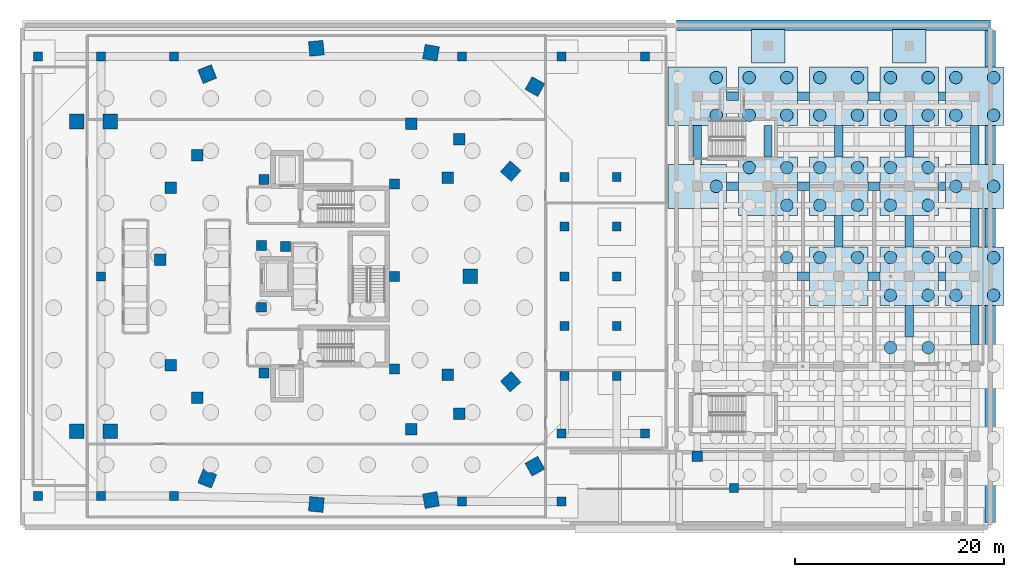
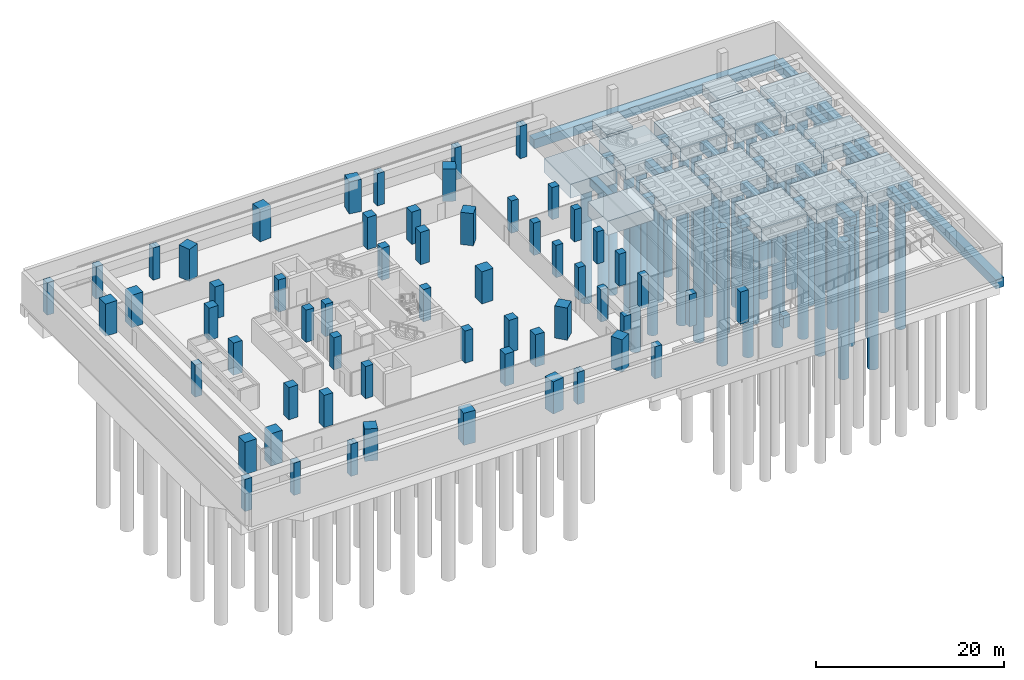
# One storey, part 2 of 15: 60 columns, 45 piles, 38 footings.
"""IFC4 building model written with IfcOpenShell, lengths in metres."""

from ifc_helpers import new_model, si_unit, direction, frame, origin, origin_2d, place, context, subcontext, project, spatial, polyline, rectangle, circle, outline, extrude, material, material_profile, profile_set, type_object, element, save


model = new_model("IFC4")

# Units and contexts
model_context = context("Model", 3, precision=1e-05, world=origin(), true_north=direction((0.0, 1.0)))
body_context = subcontext(model_context, "Body", "Model", "MODEL_VIEW")
ifc_project = project(units=[si_unit("LENGTHUNIT", "METRE"), si_unit("AREAUNIT", "SQUARE_METRE"), si_unit("VOLUMEUNIT", "CUBIC_METRE"), si_unit("PLANEANGLEUNIT", "RADIAN"), si_unit("MASSUNIT", "GRAM", prefix="KILO")], contexts=[model_context])

# Site, building, storey
site_placement = place(None, origin())
site = spatial("IfcSite", under=ifc_project, at=site_placement, CompositionType="ELEMENT")
building_placement = place(site_placement, origin())
building = spatial("IfcBuilding", under=site, at=building_placement, Name="Korentha Bioscience Tower", CompositionType="ELEMENT")
storey_placement = place(building_placement, frame((0.0, 0.0, -9.0)))
storey = spatial("IfcBuildingStorey", under=building, at=storey_placement, Name="B2", CompositionType="ELEMENT", Elevation=-9.0)

# Footings
ifc_material_1 = material(Name="Concrete C50", Category="concrete")
footing_type_1 = type_object("IfcFootingType", Name="Basement Column Pad Footing 3200x3200x1400", PredefinedType="PAD_FOOTING", material=ifc_material_1)
for number, where, z_axis, x_axis, name in (
    (1, (73.25, 49.0, -1.89990234375), (0.0, 0.0, 1.0), (1.0, 0.0, 0.0), "Basement Column Pad Footing 07"),
    (2, (86.75, 49.0, -1.89990234375), (0.0, 0.0, 1.0), (1.0, 0.0, 0.0), "Basement Column Pad Footing 08"),
):
    element("IfcFooting", number, at=place(storey_placement, frame(where, z_axis=z_axis, x_axis=x_axis)), inside=storey, type_object=footing_type_1, Name=name, PredefinedType="PAD_FOOTING", context=body_context, shape_type="SweptSolid", body=[
        extrude(rectangle(XDim=3.199951171875, YDim=3.199951171875, at=origin_2d()), origin(), (0.0, 0.0, 1.0), 1.39990234375),
    ])

# Piles
ifc_material_profile_1 = material_profile(ifc_material_1, circle(Radius=0.60009765625, at=origin_2d()), Name="Concrete C50")
ifc_profile_set_1 = profile_set([ifc_material_profile_1], Name="Concrete C50 (PL-120)")
pile_type = type_object("IfcPileType", Name="Bored Rock-Socketed Pile D1200", PredefinedType="BORED", material=ifc_profile_set_1)
for number, where, z_axis, x_axis, name in (
    (3, (68.300048828125, 35.60009765625, -2.14990234375), (0.0, 0.0, -1.0), (1.0, 0.0, 0.0), "Theatre Bored Pile PL-120-012"),
    (4, (68.300048828125, 42.39990234375, -2.14990234375), (0.0, 0.0, -1.0), (1.0, 0.0, 0.0), "Theatre Bored Pile PL-120-014"),
    (5, (68.300048828125, 46.0, -2.14990234375), (0.0, 0.0, -1.0), (1.0, 0.0, 0.0), "Theatre Bored Pile PL-120-016"),
    (6, (75.050048828125, 28.800048828125, -2.14990234375), (0.0, 0.0, -1.0), (1.0, 0.0, 0.0), "Theatre Bored Pile PL-120-028"),
    (7, (75.050048828125, 33.800048828125, -2.14990234375), (0.0, 0.0, -1.0), (1.0, 0.0, 0.0), "Theatre Bored Pile PL-120-030"),
    (8, (71.449951171875, 37.39990234375, -2.14990234375), (0.0, 0.0, -1.0), (1.0, 0.0, 0.0), "Theatre Bored Pile PL-120-031"),
    (9, (75.050048828125, 37.39990234375, -2.14990234375), (0.0, 0.0, -1.0), (1.0, 0.0, 0.0), "Theatre Bored Pile PL-120-032"),
    (10, (71.449951171875, 42.39990234375, -2.14990234375), (0.0, 0.0, -1.0), (1.0, 0.0, 0.0), "Theatre Bored Pile PL-120-033"),
    (11, (75.050048828125, 42.39990234375, -2.14990234375), (0.0, 0.0, -1.0), (1.0, 0.0, 0.0), "Theatre Bored Pile PL-120-034"),
    (12, (71.449951171875, 46.0, -2.14990234375), (0.0, 0.0, -1.0), (1.0, 0.0, 0.0), "Theatre Bored Pile PL-120-035"),
    (13, (75.050048828125, 46.0, -2.14990234375), (0.0, 0.0, -1.0), (1.0, 0.0, 0.0), "Theatre Bored Pile PL-120-036"),
    (14, (78.199951171875, 28.800048828125, -2.14990234375), (0.0, 0.0, -1.0), (1.0, 0.0, 0.0), "Theatre Bored Pile PL-120-047"),
    (15, (81.800048828125, 28.800048828125, -2.14990234375), (0.0, 0.0, -1.0), (1.0, 0.0, 0.0), "Theatre Bored Pile PL-120-048"),
    (16, (78.199951171875, 33.800048828125, -2.14990234375), (0.0, 0.0, -1.0), (1.0, 0.0, 0.0), "Theatre Bored Pile PL-120-049"),
    (17, (81.800048828125, 33.800048828125, -2.14990234375), (0.0, 0.0, -1.0), (1.0, 0.0, 0.0), "Theatre Bored Pile PL-120-050"),
    (18, (78.199951171875, 37.39990234375, -2.14990234375), (0.0, 0.0, -1.0), (1.0, 0.0, 0.0), "Theatre Bored Pile PL-120-051"),
    (19, (81.800048828125, 37.39990234375, -2.14990234375), (0.0, 0.0, -1.0), (1.0, 0.0, 0.0), "Theatre Bored Pile PL-120-052"),
    (20, (78.199951171875, 42.39990234375, -2.14990234375), (0.0, 0.0, -1.0), (1.0, 0.0, 0.0), "Theatre Bored Pile PL-120-053"),
    (21, (81.800048828125, 42.39990234375, -2.14990234375), (0.0, 0.0, -1.0), (1.0, 0.0, 0.0), "Theatre Bored Pile PL-120-054"),
    (22, (78.199951171875, 46.0, -2.14990234375), (0.0, 0.0, -1.0), (1.0, 0.0, 0.0), "Theatre Bored Pile PL-120-055"),
    (23, (81.800048828125, 46.0, -2.14990234375), (0.0, 0.0, -1.0), (1.0, 0.0, 0.0), "Theatre Bored Pile PL-120-056"),
    (24, (84.949951171875, 20.199951171875, -2.14990234375), (0.0, 0.0, -1.0), (1.0, 0.0, 0.0), "Theatre Bored Pile PL-120-063"),
    (25, (88.550048828125, 20.199951171875, -2.14990234375), (0.0, 0.0, -1.0), (1.0, 0.0, 0.0), "Theatre Bored Pile PL-120-064"),
    (26, (84.949951171875, 25.199951171875, -2.14990234375), (0.0, 0.0, -1.0), (1.0, 0.0, 0.0), "Theatre Bored Pile PL-120-065"),
    (27, (88.550048828125, 25.199951171875, -2.14990234375), (0.0, 0.0, -1.0), (1.0, 0.0, 0.0), "Theatre Bored Pile PL-120-066"),
    (28, (84.949951171875, 28.800048828125, -2.14990234375), (0.0, 0.0, -1.0), (1.0, 0.0, 0.0), "Theatre Bored Pile PL-120-067"),
    (29, (88.550048828125, 28.800048828125, -2.14990234375), (0.0, 0.0, -1.0), (1.0, 0.0, 0.0), "Theatre Bored Pile PL-120-068"),
    (30, (84.949951171875, 33.800048828125, -2.14990234375), (0.0, 0.0, -1.0), (1.0, 0.0, 0.0), "Theatre Bored Pile PL-120-069"),
    (31, (88.550048828125, 33.800048828125, -2.14990234375), (0.0, 0.0, -1.0), (1.0, 0.0, 0.0), "Theatre Bored Pile PL-120-070"),
    (32, (84.949951171875, 37.39990234375, -2.14990234375), (0.0, 0.0, -1.0), (1.0, 0.0, 0.0), "Theatre Bored Pile PL-120-071"),
    (33, (88.550048828125, 37.39990234375, -2.14990234375), (0.0, 0.0, -1.0), (1.0, 0.0, 0.0), "Theatre Bored Pile PL-120-072"),
    (34, (84.949951171875, 42.39990234375, -2.14990234375), (0.0, 0.0, -1.0), (1.0, 0.0, 0.0), "Theatre Bored Pile PL-120-073"),
    (35, (88.550048828125, 42.39990234375, -2.14990234375), (0.0, 0.0, -1.0), (1.0, 0.0, 0.0), "Theatre Bored Pile PL-120-074"),
    (36, (84.949951171875, 46.0, -2.14990234375), (0.0, 0.0, -1.0), (1.0, 0.0, 0.0), "Theatre Bored Pile PL-120-075"),
    (37, (88.550048828125, 46.0, -2.14990234375), (0.0, 0.0, -1.0), (1.0, 0.0, 0.0), "Theatre Bored Pile PL-120-076"),
    (38, (91.199951171875, 25.199951171875, -2.14990234375), (0.0, 0.0, -1.0), (1.0, 0.0, 0.0), "Theatre Bored Pile PL-120-083"),
    (39, (94.800048828125, 25.199951171875, -2.14990234375), (0.0, 0.0, -1.0), (1.0, 0.0, 0.0), "Theatre Bored Pile PL-120-084"),
    (40, (91.199951171875, 28.800048828125, -2.14990234375), (0.0, 0.0, -1.0), (1.0, 0.0, 0.0), "Theatre Bored Pile PL-120-085"),
    (41, (94.800048828125, 28.800048828125, -2.14990234375), (0.0, 0.0, -1.0), (1.0, 0.0, 0.0), "Theatre Bored Pile PL-120-086"),
    (42, (91.199951171875, 35.60009765625, -2.14990234375), (0.0, 0.0, -1.0), (1.0, 0.0, 0.0), "Theatre Bored Pile PL-120-087"),
    (43, (94.800048828125, 35.60009765625, -2.14990234375), (0.0, 0.0, -1.0), (1.0, 0.0, 0.0), "Theatre Bored Pile PL-120-088"),
    (44, (91.199951171875, 42.39990234375, -2.14990234375), (0.0, 0.0, -1.0), (1.0, 0.0, 0.0), "Theatre Bored Pile PL-120-089"),
    (45, (94.800048828125, 42.39990234375, -2.14990234375), (0.0, 0.0, -1.0), (1.0, 0.0, 0.0), "Theatre Bored Pile PL-120-090"),
    (46, (91.199951171875, 46.0, -2.14990234375), (0.0, 0.0, -1.0), (1.0, 0.0, 0.0), "Theatre Bored Pile PL-120-091"),
    (47, (94.800048828125, 46.0, -2.14990234375), (0.0, 0.0, -1.0), (1.0, 0.0, 0.0), "Theatre Bored Pile PL-120-092"),
):
    element("IfcPile", number, at=place(storey_placement, frame(where, z_axis=z_axis, x_axis=x_axis)), inside=storey, type_object=pile_type, Name=name, PredefinedType="BORED", context=body_context, shape_type="SweptSolid", body=[
        extrude(circle(Radius=0.60009765625, at=origin_2d()), origin(), (0.0, 0.0, 1.0), 17.85009765625),
    ])

# Footings
footing_type_2 = type_object("IfcFootingType", Name="Foundation Tie Beam 800x1100", PredefinedType="FOOTING_BEAM", material=ifc_material_1)
footing_1_placement = place(storey_placement, frame((0.0, 0.0, -1.60009765625)))
element("IfcFooting", 48, at=footing_1_placement, inside=storey, type_object=footing_type_2, Name="Theatre Tie Beam X-1-4", PredefinedType="FOOTING_BEAM", context=body_context, shape_type="SweptSolid", body=[
    extrude(outline(polyline([(69.300048828125, 35.199951171875), (70.449951171875, 35.199951171875), (70.449951171875, 36.0), (69.300048828125, 36.0), (69.300048828125, 35.199951171875)])), origin(), (0.0, 0.0, 1.0), 1.10009765625),
])
footing_2_placement = place(storey_placement, frame((0.0, 0.0, -1.60009765625)))
element("IfcFooting", 49, at=footing_2_placement, inside=storey, type_object=footing_type_2, Name="Theatre Tie Beam Y-1-4", PredefinedType="FOOTING_BEAM", context=body_context, shape_type="SweptSolid", body=[
    extrude(outline(polyline([(66.10009765625, 37.699951171875), (66.89990234375, 37.699951171875), (66.89990234375, 41.39990234375), (66.10009765625, 41.39990234375), (66.10009765625, 37.699951171875)])), origin(), (0.0, 0.0, 1.0), 1.10009765625),
])
footing_3_placement = place(storey_placement, frame((0.0, 0.0, -1.60009765625)))
element("IfcFooting", 50, at=footing_3_placement, inside=storey, type_object=footing_type_2, Name="Theatre Tie Beam X-1-5", PredefinedType="FOOTING_BEAM", context=body_context, shape_type="SweptSolid", body=[
    extrude(outline(polyline([(69.300048828125, 43.800048828125), (70.449951171875, 43.800048828125), (70.449951171875, 44.60009765625), (69.300048828125, 44.60009765625), (69.300048828125, 43.800048828125)])), origin(), (0.0, 0.0, 1.0), 1.10009765625),
])
footing_4_placement = place(storey_placement, frame((0.0, 0.0, -1.60009765625)))
element("IfcFooting", 51, at=footing_4_placement, inside=storey, type_object=footing_type_2, Name="Theatre Tie Beam X-2-3", PredefinedType="FOOTING_BEAM", context=body_context, shape_type="SweptSolid", body=[
    extrude(outline(polyline([(76.050048828125, 26.60009765625), (77.199951171875, 26.60009765625), (77.199951171875, 27.39990234375), (76.050048828125, 27.39990234375), (76.050048828125, 26.60009765625)])), origin(), (0.0, 0.0, 1.0), 1.10009765625),
])
footing_5_placement = place(storey_placement, frame((0.0, 0.0, -1.60009765625)))
element("IfcFooting", 52, at=footing_5_placement, inside=storey, type_object=footing_type_2, Name="Theatre Tie Beam X-2-4", PredefinedType="FOOTING_BEAM", context=body_context, shape_type="SweptSolid", body=[
    extrude(outline(polyline([(76.050048828125, 35.199951171875), (77.199951171875, 35.199951171875), (77.199951171875, 36.0), (76.050048828125, 36.0), (76.050048828125, 35.199951171875)])), origin(), (0.0, 0.0, 1.0), 1.10009765625),
])
footing_6_placement = place(storey_placement, frame((0.0, 0.0, -1.60009765625)))
element("IfcFooting", 53, at=footing_6_placement, inside=storey, type_object=footing_type_2, Name="Theatre Tie Beam Y-2-4", PredefinedType="FOOTING_BEAM", context=body_context, shape_type="SweptSolid", body=[
    extrude(outline(polyline([(72.85009765625, 38.39990234375), (73.64990234375, 38.39990234375), (73.64990234375, 41.39990234375), (72.85009765625, 41.39990234375), (72.85009765625, 38.39990234375)])), origin(), (0.0, 0.0, 1.0), 1.10009765625),
])
footing_7_placement = place(storey_placement, frame((0.0, 0.0, -1.60009765625)))
element("IfcFooting", 54, at=footing_7_placement, inside=storey, type_object=footing_type_2, Name="Theatre Tie Beam X-2-5", PredefinedType="FOOTING_BEAM", context=body_context, shape_type="SweptSolid", body=[
    extrude(outline(polyline([(76.050048828125, 43.800048828125), (77.199951171875, 43.800048828125), (77.199951171875, 44.60009765625), (76.050048828125, 44.60009765625), (76.050048828125, 43.800048828125)])), origin(), (0.0, 0.0, 1.0), 1.10009765625),
])
footing_8_placement = place(storey_placement, frame((0.0, 0.0, -1.60009765625)))
element("IfcFooting", 55, at=footing_8_placement, inside=storey, type_object=footing_type_2, Name="Theatre Tie Beam X-3-3", PredefinedType="FOOTING_BEAM", context=body_context, shape_type="SweptSolid", body=[
    extrude(outline(polyline([(82.800048828125, 26.60009765625), (83.949951171875, 26.60009765625), (83.949951171875, 27.39990234375), (82.800048828125, 27.39990234375), (82.800048828125, 26.60009765625)])), origin(), (0.0, 0.0, 1.0), 1.10009765625),
])
footing_9_placement = place(storey_placement, frame((0.0, 0.0, -1.60009765625)))
element("IfcFooting", 56, at=footing_9_placement, inside=storey, type_object=footing_type_2, Name="Theatre Tie Beam Y-3-3", PredefinedType="FOOTING_BEAM", context=body_context, shape_type="SweptSolid", body=[
    extrude(outline(polyline([(79.60009765625, 29.800048828125), (80.39990234375, 29.800048828125), (80.39990234375, 32.800048828125), (79.60009765625, 32.800048828125), (79.60009765625, 29.800048828125)])), origin(), (0.0, 0.0, 1.0), 1.10009765625),
])
footing_10_placement = place(storey_placement, frame((0.0, 0.0, -1.60009765625)))
element("IfcFooting", 57, at=footing_10_placement, inside=storey, type_object=footing_type_2, Name="Theatre Tie Beam X-3-4", PredefinedType="FOOTING_BEAM", context=body_context, shape_type="SweptSolid", body=[
    extrude(outline(polyline([(82.800048828125, 35.199951171875), (83.949951171875, 35.199951171875), (83.949951171875, 36.0), (82.800048828125, 36.0), (82.800048828125, 35.199951171875)])), origin(), (0.0, 0.0, 1.0), 1.10009765625),
])
footing_11_placement = place(storey_placement, frame((0.0, 0.0, -1.60009765625)))
element("IfcFooting", 58, at=footing_11_placement, inside=storey, type_object=footing_type_2, Name="Theatre Tie Beam Y-3-4", PredefinedType="FOOTING_BEAM", context=body_context, shape_type="SweptSolid", body=[
    extrude(outline(polyline([(79.60009765625, 38.39990234375), (80.39990234375, 38.39990234375), (80.39990234375, 41.39990234375), (79.60009765625, 41.39990234375), (79.60009765625, 38.39990234375)])), origin(), (0.0, 0.0, 1.0), 1.10009765625),
])
footing_12_placement = place(storey_placement, frame((0.0, 0.0, -1.60009765625)))
element("IfcFooting", 59, at=footing_12_placement, inside=storey, type_object=footing_type_2, Name="Theatre Tie Beam X-3-5", PredefinedType="FOOTING_BEAM", context=body_context, shape_type="SweptSolid", body=[
    extrude(outline(polyline([(82.800048828125, 43.800048828125), (83.949951171875, 43.800048828125), (83.949951171875, 44.60009765625), (82.800048828125, 44.60009765625), (82.800048828125, 43.800048828125)])), origin(), (0.0, 0.0, 1.0), 1.10009765625),
])
footing_13_placement = place(storey_placement, frame((0.0, 0.0, -1.60009765625)))
element("IfcFooting", 60, at=footing_13_placement, inside=storey, type_object=footing_type_2, Name="Theatre Tie Beam Y-4-2", PredefinedType="FOOTING_BEAM", context=body_context, shape_type="SweptSolid", body=[
    extrude(outline(polyline([(86.35009765625, 21.199951171875), (87.14990234375, 21.199951171875), (87.14990234375, 24.199951171875), (86.35009765625, 24.199951171875), (86.35009765625, 21.199951171875)])), origin(), (0.0, 0.0, 1.0), 1.10009765625),
])
footing_14_placement = place(storey_placement, frame((0.0, 0.0, -1.60009765625)))
element("IfcFooting", 61, at=footing_14_placement, inside=storey, type_object=footing_type_2, Name="Theatre Tie Beam X-4-3", PredefinedType="FOOTING_BEAM", context=body_context, shape_type="SweptSolid", body=[
    extrude(outline(polyline([(89.550048828125, 26.60009765625), (90.199951171875, 26.60009765625), (90.199951171875, 27.39990234375), (89.550048828125, 27.39990234375), (89.550048828125, 26.60009765625)])), origin(), (0.0, 0.0, 1.0), 1.10009765625),
])
footing_15_placement = place(storey_placement, frame((0.0, 0.0, -1.60009765625)))
element("IfcFooting", 62, at=footing_15_placement, inside=storey, type_object=footing_type_2, Name="Theatre Tie Beam Y-4-3", PredefinedType="FOOTING_BEAM", context=body_context, shape_type="SweptSolid", body=[
    extrude(outline(polyline([(86.35009765625, 29.800048828125), (87.14990234375, 29.800048828125), (87.14990234375, 32.800048828125), (86.35009765625, 32.800048828125), (86.35009765625, 29.800048828125)])), origin(), (0.0, 0.0, 1.0), 1.10009765625),
])
footing_16_placement = place(storey_placement, frame((0.0, 0.0, -1.60009765625)))
element("IfcFooting", 63, at=footing_16_placement, inside=storey, type_object=footing_type_2, Name="Theatre Tie Beam X-4-4", PredefinedType="FOOTING_BEAM", context=body_context, shape_type="SweptSolid", body=[
    extrude(outline(polyline([(89.550048828125, 35.199951171875), (90.199951171875, 35.199951171875), (90.199951171875, 36.0), (89.550048828125, 36.0), (89.550048828125, 35.199951171875)])), origin(), (0.0, 0.0, 1.0), 1.10009765625),
])
footing_17_placement = place(storey_placement, frame((0.0, 0.0, -1.60009765625)))
element("IfcFooting", 64, at=footing_17_placement, inside=storey, type_object=footing_type_2, Name="Theatre Tie Beam Y-4-4", PredefinedType="FOOTING_BEAM", context=body_context, shape_type="SweptSolid", body=[
    extrude(outline(polyline([(86.35009765625, 38.39990234375), (87.14990234375, 38.39990234375), (87.14990234375, 41.39990234375), (86.35009765625, 41.39990234375), (86.35009765625, 38.39990234375)])), origin(), (0.0, 0.0, 1.0), 1.10009765625),
])
footing_18_placement = place(storey_placement, frame((0.0, 0.0, -1.60009765625)))
element("IfcFooting", 65, at=footing_18_placement, inside=storey, type_object=footing_type_2, Name="Theatre Tie Beam X-4-5", PredefinedType="FOOTING_BEAM", context=body_context, shape_type="SweptSolid", body=[
    extrude(outline(polyline([(89.550048828125, 43.800048828125), (90.199951171875, 43.800048828125), (90.199951171875, 44.60009765625), (89.550048828125, 44.60009765625), (89.550048828125, 43.800048828125)])), origin(), (0.0, 0.0, 1.0), 1.10009765625),
])
footing_19_placement = place(storey_placement, frame((0.0, 0.0, -1.60009765625)))
element("IfcFooting", 66, at=footing_19_placement, inside=storey, type_object=footing_type_2, Name="Theatre Tie Beam Y-5-2", PredefinedType="FOOTING_BEAM", context=body_context, shape_type="SweptSolid", body=[
    extrude(outline(polyline([(92.60009765625, 20.5), (93.39990234375, 20.5), (93.39990234375, 24.199951171875), (92.60009765625, 24.199951171875), (92.60009765625, 20.5)])), origin(), (0.0, 0.0, 1.0), 1.10009765625),
])
footing_20_placement = place(storey_placement, frame((0.0, 0.0, -1.60009765625)))
element("IfcFooting", 67, at=footing_20_placement, inside=storey, type_object=footing_type_2, Name="Theatre Tie Beam Y-5-3", PredefinedType="FOOTING_BEAM", context=body_context, shape_type="SweptSolid", body=[
    extrude(outline(polyline([(92.60009765625, 29.800048828125), (93.39990234375, 29.800048828125), (93.39990234375, 33.5), (92.60009765625, 33.5), (92.60009765625, 29.800048828125)])), origin(), (0.0, 0.0, 1.0), 1.10009765625),
])
footing_21_placement = place(storey_placement, frame((0.0, 0.0, -1.60009765625)))
element("IfcFooting", 68, at=footing_21_placement, inside=storey, type_object=footing_type_2, Name="Theatre Tie Beam Y-5-4", PredefinedType="FOOTING_BEAM", context=body_context, shape_type="SweptSolid", body=[
    extrude(outline(polyline([(92.60009765625, 37.699951171875), (93.39990234375, 37.699951171875), (93.39990234375, 41.39990234375), (92.60009765625, 41.39990234375), (92.60009765625, 37.699951171875)])), origin(), (0.0, 0.0, 1.0), 1.10009765625),
])
footing_type_3 = type_object("IfcFootingType", Name="Perimeter Strip Footing 1000x1200", PredefinedType="STRIP_FOOTING", material=ifc_material_1)
footing_22_placement = place(storey_placement, frame((0.0, 0.0, -1.699951171875)))
element("IfcFooting", 69, at=footing_22_placement, inside=storey, type_object=footing_type_3, Name="Basement Retaining Strip Footing SF-N2", PredefinedType="STRIP_FOOTING", context=body_context, shape_type="SweptSolid", body=[
    extrude(outline(polyline([(64.5, 50.5), (94.5, 50.5), (94.5, 51.5), (64.5, 51.5), (64.5, 50.5)])), origin(), (0.0, 0.0, 1.0), 1.199951171875),
])
footing_23_placement = place(storey_placement, frame((0.0, 0.0, -1.699951171875)))
element("IfcFooting", 70, at=footing_23_placement, inside=storey, type_object=footing_type_3, Name="Basement Retaining Strip Footing SF-E1", PredefinedType="STRIP_FOOTING", context=body_context, shape_type="SweptSolid", body=[
    extrude(outline(polyline([(94.0, 3.5), (95.0, 3.5), (95.0, 50.5), (94.0, 50.5), (94.0, 3.5)])), origin(), (0.0, 0.0, 1.0), 1.199951171875),
])
footing_type_4 = type_object("IfcFootingType", Name="Theatre Pile Cap 5600x4200x1800", PredefinedType="PILE_CAP", material=ifc_material_1)
for number, where, z_axis, x_axis, name in (
    (71, (66.5, 35.60009765625, -2.2998046875), (0.0, 0.0, 1.0), (1.0, 0.0, 0.0), "Theatre Pile Cap 04"),
    (72, (93.0, 35.60009765625, -2.2998046875), (0.0, 0.0, 1.0), (1.0, 0.0, 0.0), "Theatre Pile Cap 24"),
):
    element("IfcFooting", number, at=place(storey_placement, frame(where, z_axis=z_axis, x_axis=x_axis)), inside=storey, type_object=footing_type_4, Name=name, PredefinedType="PILE_CAP", context=body_context, shape_type="SweptSolid", body=[
        extrude(rectangle(XDim=5.60009765625, YDim=4.199951171875, at=origin_2d()), origin(), (0.0, 0.0, 1.0), 1.800048828125),
    ])
footing_type_5 = type_object("IfcFootingType", Name="Theatre Pile Cap 5600x5600x1800", PredefinedType="PILE_CAP", material=ifc_material_1)
for number, where, z_axis, x_axis, name in (
    (73, (66.5, 44.199951171875, -2.2998046875), (0.0, 0.0, 1.0), (1.0, 0.0, 0.0), "Theatre Pile Cap 05"),
    (74, (73.25, 35.60009765625, -2.2998046875), (0.0, 0.0, 1.0), (1.0, 0.0, 0.0), "Theatre Pile Cap 09"),
    (75, (73.25, 44.199951171875, -2.2998046875), (0.0, 0.0, 1.0), (1.0, 0.0, 0.0), "Theatre Pile Cap 10"),
    (76, (80.0, 27.0, -2.2998046875), (0.0, 0.0, 1.0), (1.0, 0.0, 0.0), "Theatre Pile Cap 13"),
    (77, (80.0, 35.60009765625, -2.2998046875), (0.0, 0.0, 1.0), (1.0, 0.0, 0.0), "Theatre Pile Cap 14"),
    (78, (80.0, 44.199951171875, -2.2998046875), (0.0, 0.0, 1.0), (1.0, 0.0, 0.0), "Theatre Pile Cap 15"),
    (79, (86.75, 27.0, -2.2998046875), (0.0, 0.0, 1.0), (1.0, 0.0, 0.0), "Theatre Pile Cap 18"),
    (80, (86.75, 35.60009765625, -2.2998046875), (0.0, 0.0, 1.0), (1.0, 0.0, 0.0), "Theatre Pile Cap 19"),
    (81, (86.75, 44.199951171875, -2.2998046875), (0.0, 0.0, 1.0), (1.0, 0.0, 0.0), "Theatre Pile Cap 20"),
    (82, (93.0, 27.0, -2.2998046875), (0.0, 0.0, 1.0), (1.0, 0.0, 0.0), "Theatre Pile Cap 23"),
    (83, (93.0, 44.199951171875, -2.2998046875), (0.0, 0.0, 1.0), (1.0, 0.0, 0.0), "Theatre Pile Cap 25"),
):
    element("IfcFooting", number, at=place(storey_placement, frame(where, z_axis=z_axis, x_axis=x_axis)), inside=storey, type_object=footing_type_5, Name=name, PredefinedType="PILE_CAP", context=body_context, shape_type="SweptSolid", body=[
        extrude(rectangle(XDim=5.60009765625, YDim=5.60009765625, at=origin_2d()), origin(), (0.0, 0.0, 1.0), 1.800048828125),
    ])

# Columns
ifc_material_2 = material(Name="Concrete C65", Category="concrete")
ifc_material_profile_2 = material_profile(ifc_material_2, rectangle(XDim=0.85009765625, YDim=0.85009765625, at=origin_2d()), Name="Concrete C65")
ifc_profile_set_2 = profile_set([ifc_material_profile_2], Name="Concrete C65 (BC-01)")
column_type_1 = type_object("IfcColumnType", Name="Basement Car Park Column RC 850x850", PredefinedType="COLUMN", material=ifc_profile_set_2)
column_1_placement = place(storey_placement, frame((70.0, 6.780029296875, 0.0), z_axis=(0.0, 0.0, 1.0), x_axis=(1.0, 0.0, 0.0)))
element("IfcColumn", 84, at=column_1_placement, inside=storey, type_object=column_type_1, Name="Ramp Support Column B2 70", PredefinedType="COLUMN", context=body_context, shape_type="SweptSolid", body=[
    extrude(rectangle(XDim=0.85009765625, YDim=0.85009765625, at=origin_2d()), origin(), (0.0, 0.0, 1.0), 1.568603515625),
])
for number, where, z_axis, x_axis, name in (
    (85, (3.5, 6.0, 0.0), (0.0, 0.0, 1.0), (1.0, 0.0, 0.0), "B2 Car Park Column BC-01"),
    (86, (3.5, 48.0, 0.0), (0.0, 0.0, 1.0), (1.0, 0.0, 0.0), "B2 Car Park Column BC-02"),
    (87, (9.5, 6.0, 0.0), (0.0, 0.0, 1.0), (1.0, 0.0, 0.0), "B2 Car Park Column BC-03"),
    (88, (9.5, 27.0, 0.0), (0.0, 0.0, 1.0), (1.0, 0.0, 0.0), "B2 Car Park Column BC-04"),
    (89, (9.5, 48.0, 0.0), (0.0, 0.0, 1.0), (1.0, 0.0, 0.0), "B2 Car Park Column BC-05"),
    (90, (16.5, 6.0, 0.0), (0.0, 0.0, 1.0), (1.0, 0.0, 0.0), "B2 Car Park Column BC-06"),
    (91, (16.5, 48.0, 0.0), (0.0, 0.0, 1.0), (1.0, 0.0, 0.0), "B2 Car Park Column BC-07"),
    (92, (44.0, 5.5, 0.0), (0.0, 0.0, 1.0), (1.0, 0.0, 0.0), "B2 Car Park Column BC-08"),
    (93, (44.0, 48.0, 0.0), (0.0, 0.0, 1.0), (1.0, 0.0, 0.0), "B2 Car Park Column BC-09"),
    (94, (53.5, 5.5, 0.0), (0.0, 0.0, 1.0), (1.0, 0.0, 0.0), "B2 Car Park Column BC-10"),
    (95, (53.5, 12.0, 0.0), (0.0, 0.0, 1.0), (1.0, 0.0, 0.0), "B2 Car Park Column BC-11"),
    (96, (53.5, 48.0, 0.0), (0.0, 0.0, 1.0), (1.0, 0.0, 0.0), "B2 Car Park Column BC-12"),
    (97, (61.5, 12.0, 0.0), (0.0, 0.0, 1.0), (1.0, 0.0, 0.0), "B2 Car Park Column BC-13"),
    (98, (61.5, 48.0, 0.0), (0.0, 0.0, 1.0), (1.0, 0.0, 0.0), "B2 Car Park Column BC-14"),
    (99, (58.800048828125, 17.5, 0.0), (0.0, 0.0, 1.0), (1.0, 0.0, 0.0), "B2 Arcade Foundation Column E-01"),
    (100, (53.800048828125, 17.5, 0.0), (0.0, 0.0, 1.0), (1.0, 0.0, 0.0), "B2 Arcade Foundation Column W-01"),
    (101, (58.800048828125, 22.25, 0.0), (0.0, 0.0, 1.0), (1.0, 0.0, 0.0), "B2 Arcade Foundation Column E-02"),
    (102, (53.800048828125, 22.25, 0.0), (0.0, 0.0, 1.0), (1.0, 0.0, 0.0), "B2 Arcade Foundation Column W-02"),
    (103, (58.800048828125, 27.0, 0.0), (0.0, 0.0, 1.0), (1.0, 0.0, 0.0), "B2 Arcade Foundation Column E-03"),
    (104, (53.800048828125, 27.0, 0.0), (0.0, 0.0, 1.0), (1.0, 0.0, 0.0), "B2 Arcade Foundation Column W-03"),
    (105, (58.800048828125, 31.75, 0.0), (0.0, 0.0, 1.0), (1.0, 0.0, 0.0), "B2 Arcade Foundation Column E-04"),
    (106, (53.800048828125, 31.75, 0.0), (0.0, 0.0, 1.0), (1.0, 0.0, 0.0), "B2 Arcade Foundation Column W-04"),
    (107, (58.800048828125, 36.5, 0.0), (0.0, 0.0, 1.0), (1.0, 0.0, 0.0), "B2 Arcade Foundation Column E-05"),
    (108, (53.800048828125, 36.5, 0.0), (0.0, 0.0, 1.0), (1.0, 0.0, 0.0), "B2 Arcade Foundation Column W-05"),
):
    element("IfcColumn", number, at=place(storey_placement, frame(where, z_axis=z_axis, x_axis=x_axis)), inside=storey, type_object=column_type_1, Name=name, PredefinedType="COLUMN", context=body_context, shape_type="SweptSolid", body=[
        extrude(rectangle(XDim=0.85009765625, YDim=0.85009765625, at=origin_2d()), origin(), (0.0, 0.0, 1.0), 4.179931640625),
    ])
ifc_material_3 = material(Name="Concrete C80", Category="concrete")
ifc_material_profile_3 = material_profile(ifc_material_3, rectangle(XDim=1.39990234375, YDim=1.39990234375, at=origin_2d()), Name="Concrete C80")
ifc_profile_set_3 = profile_set([ifc_material_profile_3], Name="Concrete C80 (COL-B14)")
column_type_2 = type_object("IfcColumnType", Name="Basement Tower Column RC 1400x1400", PredefinedType="COLUMN", material=ifc_profile_set_3)
for number, where, z_axis, x_axis, name in (
    (109, (7.199951171875, 12.199951171875, 0.0), (0.0, 0.0, 1.0), (1.0, 0.0, 0.0), "B2 Arch Abutment Column 1-S"),
    (110, (7.199951171875, 41.800048828125, 0.0), (0.0, 0.0, 1.0), (1.0, 0.0, 0.0), "B2 Arch Abutment Column 1-N"),
    (111, (10.39990234375, 12.199951171875, 0.0), (0.0, 0.0, 1.0), (1.0, 0.0, 0.0), "B2 Arch Abutment Column 2-S"),
    (112, (10.39990234375, 41.800048828125, 0.0), (0.0, 0.0, 1.0), (1.0, 0.0, 0.0), "B2 Arch Abutment Column 2-N"),
    (113, (50.977294921875, 45.135498046875, 0.0), (0.0, 0.0, 1.0), (-0.874535078577, 0.484962262797, 0.0), "B2 Tower Perimeter Column 01"),
    (114, (41.052490234375, 48.36669921875, 0.0), (0.0, 0.0, 1.0), (-0.984868307662, 0.173304404339, 0.0), "B2 Tower Perimeter Column 02"),
    (115, (30.09423828125, 48.79248046875, 0.0), (0.0, 0.0, 1.0), (0.995462868748, 0.095150811579, 0.0), "B2 Tower Perimeter Column 03"),
    (116, (19.66650390625, 46.328857421875, 0.0), (0.0, 0.0, 1.0), (0.930225540858, 0.366988341962, 0.0), "B2 Tower Perimeter Column 04"),
    (117, (19.66650390625, 7.671142578125, 0.0), (0.0, 0.0, 1.0), (-0.930225540858, 0.366988341962, 0.0), "B2 Tower Perimeter Column 10"),
    (118, (30.09423828125, 5.20751953125, 0.0), (0.0, 0.0, 1.0), (-0.995462868748, 0.095150811579, 0.0), "B2 Tower Perimeter Column 11"),
    (119, (41.052490234375, 5.63330078125, 0.0), (0.0, 0.0, 1.0), (0.984868307662, 0.173304404339, 0.0), "B2 Tower Perimeter Column 12"),
    (120, (50.977294921875, 8.864501953125, 0.0), (0.0, 0.0, 1.0), (0.874535078577, 0.484962262797, 0.0), "B2 Tower Perimeter Column 13"),
    (121, (48.661865234375, 16.939208984375, 0.0), (0.0, 0.0, 1.0), (-0.669130606359, 0.743144825477, 0.0), "B2 Tower Perimeter Column 14"),
    (122, (44.798583984375, 27.0, 0.0), (0.0, 0.0, 1.0), (0.0, 1.0, 0.0), "B2 Tower Perimeter Column 15"),
    (123, (48.661865234375, 37.060791015625, 0.0), (0.0, 0.0, 1.0), (0.669130606359, 0.743144825477, 0.0), "B2 Tower Perimeter Column 16"),
):
    element("IfcColumn", number, at=place(storey_placement, frame(where, z_axis=z_axis, x_axis=x_axis)), inside=storey, type_object=column_type_2, Name=name, PredefinedType="COLUMN", context=body_context, shape_type="SweptSolid", body=[
        extrude(rectangle(XDim=1.39990234375, YDim=1.39990234375, at=origin_2d()), origin(), (0.0, 0.0, 1.0), 4.179931640625),
    ])
ifc_material_profile_4 = material_profile(ifc_material_2, rectangle(XDim=0.949951171875, YDim=0.949951171875, at=origin_2d()), Name="Concrete C65")
ifc_profile_set_4 = profile_set([ifc_material_profile_4], Name="Concrete C65 (COL-CP09)")
column_type_3 = type_object("IfcColumnType", Name="Core Pilaster Column RC 950x950", PredefinedType="PILASTER", material=ifc_profile_set_4)
for number, where, z_axis, x_axis, name in (
    (124, (37.550048828125, 35.85009765625, 0.0), (0.0, 0.0, 1.0), (1.0, 0.0, 0.0), "B2 Core Pilaster CP-01"),
    (125, (25.10009765625, 36.25, 0.0), (0.0, 0.0, 1.0), (1.0, 0.0, 0.0), "B2 Core Pilaster CP-02"),
    (126, (24.85009765625, 29.949951171875, 0.0), (0.0, 0.0, 1.0), (1.0, 0.0, 0.0), "B2 Core Pilaster CP-03"),
    (127, (27.14990234375, 29.85009765625, 0.0), (0.0, 0.0, 1.0), (1.0, 0.0, 0.0), "B2 Core Pilaster CP-04"),
    (128, (24.85009765625, 24.050048828125, 0.0), (0.0, 0.0, 1.0), (1.0, 0.0, 0.0), "B2 Core Pilaster CP-05"),
    (129, (25.10009765625, 17.75, 0.0), (0.0, 0.0, 1.0), (1.0, 0.0, 0.0), "B2 Core Pilaster CP-06"),
    (130, (37.550048828125, 18.14990234375, 0.0), (0.0, 0.0, 1.0), (1.0, 0.0, 0.0), "B2 Core Pilaster CP-07"),
    (131, (37.550048828125, 27.0, 0.0), (0.0, 0.0, 1.0), (1.0, 0.0, 0.0), "B2 Core Pilaster CP-08"),
):
    element("IfcColumn", number, at=place(storey_placement, frame(where, z_axis=z_axis, x_axis=x_axis)), inside=storey, type_object=column_type_3, Name=name, PredefinedType="PILASTER", context=body_context, shape_type="SweptSolid", body=[
        extrude(rectangle(XDim=0.949951171875, YDim=0.949951171875, at=origin_2d()), origin(), (0.0, 0.0, 1.0), 4.180419921875),
    ])
ifc_material_profile_5 = material_profile(ifc_material_3, rectangle(XDim=1.10009765625, YDim=1.10009765625, at=origin_2d()), Name="Concrete C80")
ifc_profile_set_5 = profile_set([ifc_material_profile_5], Name="Concrete C80 (COL-MR11)")
column_type_4 = type_object("IfcColumnType", Name="Mid-Ring Lab Column RC 1100x1100", PredefinedType="COLUMN", material=ifc_profile_set_5)
for number, where, z_axis, x_axis, name in (
    (132, (43.7265625, 40.121337890625, 0.0), (0.0, 0.0, 1.0), (1.0, 0.0, 0.0), "B2 Mid-Ring Column 01"),
    (133, (39.1611328125, 41.607666015625, 0.0), (0.0, 0.0, 1.0), (1.0, 0.0, 0.0), "B2 Mid-Ring Column 02"),
    (134, (18.692138671875, 38.5947265625, 0.0), (0.0, 0.0, 1.0), (1.0, 0.0, 0.0), "B2 Mid-Ring Column 05"),
    (135, (16.174072265625, 35.489013671875, 0.0), (0.0, 0.0, 1.0), (1.0, 0.0, 0.0), "B2 Mid-Ring Column 06"),
    (136, (15.1787109375, 28.593505859375, 0.0), (0.0, 0.0, 1.0), (1.0, 0.0, 0.0), "B2 Mid-Ring Column 07"),
    (137, (16.174072265625, 18.510986328125, 0.0), (0.0, 0.0, 1.0), (1.0, 0.0, 0.0), "B2 Mid-Ring Column 08"),
    (138, (18.692138671875, 15.4052734375, 0.0), (0.0, 0.0, 1.0), (1.0, 0.0, 0.0), "B2 Mid-Ring Column 09"),
    (139, (39.1611328125, 12.392333984375, 0.0), (0.0, 0.0, 1.0), (1.0, 0.0, 0.0), "B2 Mid-Ring Column 12"),
    (140, (43.7265625, 13.878662109375, 0.0), (0.0, 0.0, 1.0), (1.0, 0.0, 0.0), "B2 Mid-Ring Column 13"),
    (141, (42.66162109375, 17.593017578125, 0.0), (0.0, 0.0, 1.0), (1.0, 0.0, 0.0), "B2 Mid-Ring Column 14"),
    (142, (42.66162109375, 36.406982421875, 0.0), (0.0, 0.0, 1.0), (1.0, 0.0, 0.0), "B2 Mid-Ring Column 16"),
):
    element("IfcColumn", number, at=place(storey_placement, frame(where, z_axis=z_axis, x_axis=x_axis)), inside=storey, type_object=column_type_4, Name=name, PredefinedType="COLUMN", context=body_context, shape_type="SweptSolid", body=[
        extrude(rectangle(XDim=1.10009765625, YDim=1.10009765625, at=origin_2d()), origin(), (0.0, 0.0, 1.0), 4.179931640625),
    ])
ifc_material_profile_6 = material_profile(ifc_material_1, rectangle(XDim=1.0, YDim=1.0, at=origin_2d()), Name="Concrete C50")
ifc_profile_set_6 = profile_set([ifc_material_profile_6], Name="Concrete C50 (TC-I01)")
column_type_5 = type_object("IfcColumnType", Name="Theatre Interior Column RC 1000x1000", PredefinedType="COLUMN", material=ifc_profile_set_6)
column_2_placement = place(storey_placement, frame((66.5, 9.800048828125, 0.0), z_axis=(0.0, 0.0, 1.0), x_axis=(1.0, 0.0, 0.0)))
element("IfcColumn", 143, at=column_2_placement, inside=storey, type_object=column_type_5, Name="B2 Theatre Foundation Column 1-1", PredefinedType="COLUMN", context=body_context, shape_type="SweptSolid", body=[
    extrude(rectangle(XDim=1.0, YDim=1.0, at=origin_2d()), origin(), (0.0, 0.0, 1.0), 4.179931640625),
])

save(model, "model.ifc")
